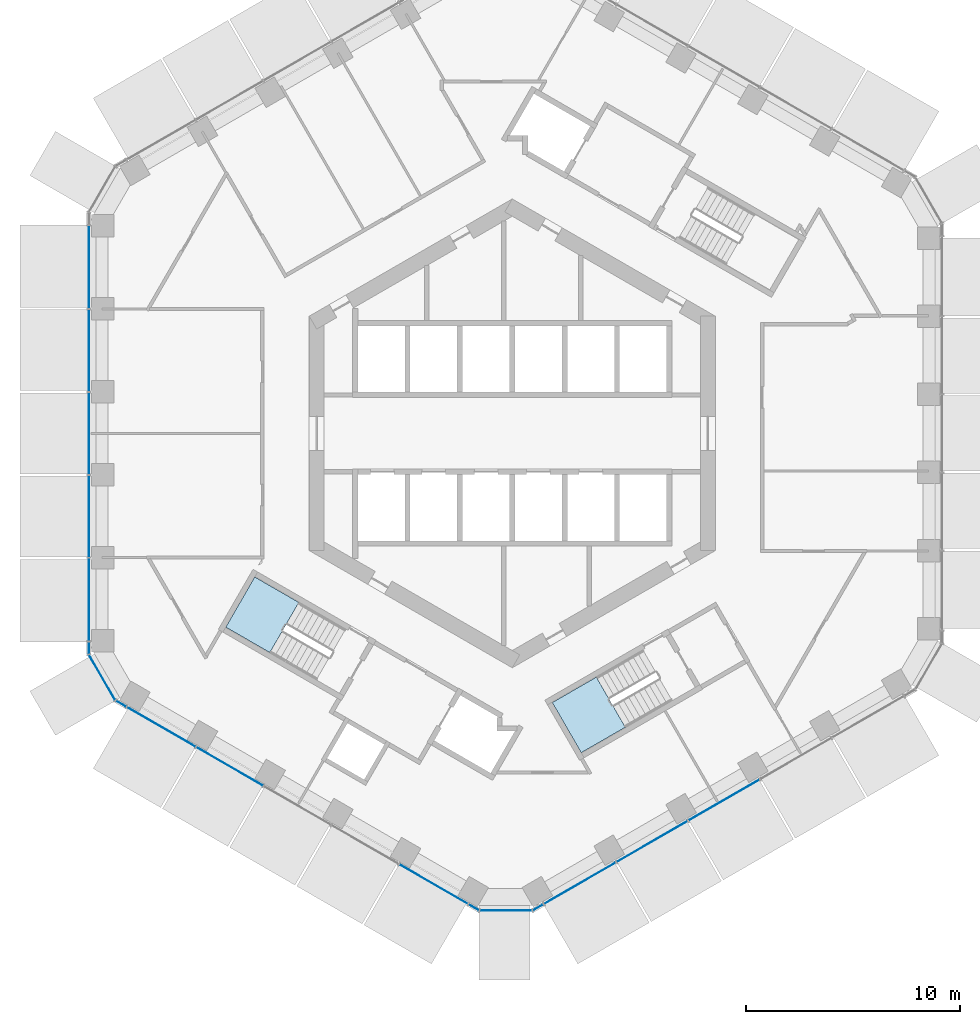
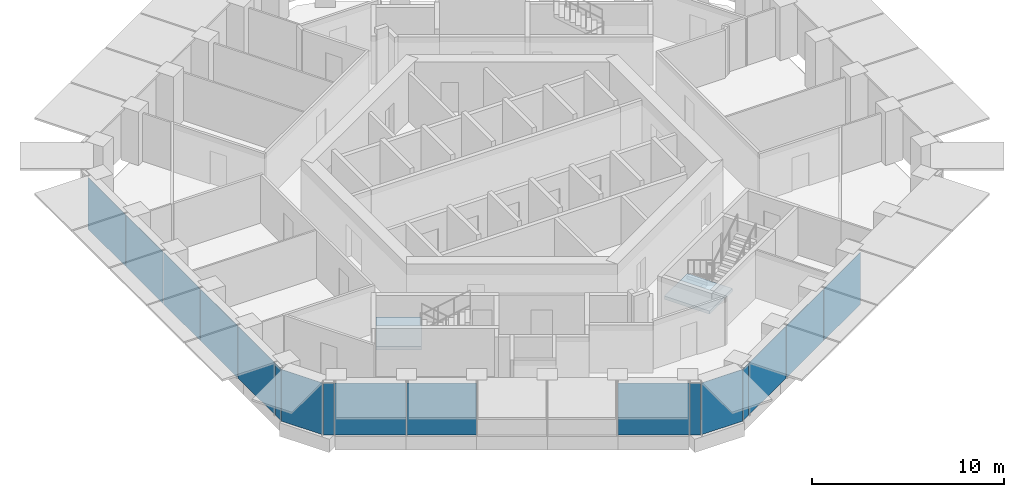
# One storey, part 9 of 19: 17 plates, 2 slabs, 7 elements without a shape of their own.
"""IFC4 building model written with IfcOpenShell, lengths in metres."""

from ifc_helpers import new_model, si_unit, direction, frame, origin, origin_2d, place, context, subcontext, project, spatial, polyline, rectangle, outline, extrude, material, layer, layer_set, type_object, element, aggregate, save


model = new_model("IFC4")

# Units and contexts
model_context = context("Model", 3, precision=1e-05, world=origin(), true_north=direction((0.0, 1.0)))
body_context = subcontext(model_context, "Body", "Model", "MODEL_VIEW")
ifc_project = project(units=[si_unit("LENGTHUNIT", "METRE"), si_unit("AREAUNIT", "SQUARE_METRE"), si_unit("VOLUMEUNIT", "CUBIC_METRE"), si_unit("PLANEANGLEUNIT", "RADIAN"), si_unit("MASSUNIT", "GRAM", prefix="KILO")], contexts=[model_context])

# Site, building, storey
site_placement = place(None, origin())
site = spatial("IfcSite", under=ifc_project, at=site_placement, CompositionType="ELEMENT")
building_placement = place(site_placement, origin())
building = spatial("IfcBuilding", under=site, at=building_placement, Name="Ayvan Gate Tower", CompositionType="ELEMENT")
storey_placement = place(building_placement, frame((0.0, 0.0, 100.10009765625)))
storey = spatial("IfcBuildingStorey", under=building, at=storey_placement, Name="L26", CompositionType="ELEMENT", Elevation=100.10009765625)

# Stair, slab
ifc_material_1 = material(Name="Concrete C40/50", Category="concrete")
stair_type = type_object("IfcStairType", Name="ST-EXIT", PredefinedType="HALF_TURN_STAIR", material=ifc_material_1)
stair_1_placement = place(storey_placement, origin())
stair_1 = element("IfcStair", 1, at=stair_1_placement, inside=storey, type_object=stair_type, Name="L26 Exit Stair S2", PredefinedType="HALF_TURN_STAIR")
ifc_layer_1 = layer(ifc_material_1, 0.199951171875)
ifc_layer_set_1 = layer_set([ifc_layer_1], Name="Concrete C40/50")
slab_type = type_object("IfcSlabType", Name="SL-LANDING-200", PredefinedType="LANDING", material=ifc_layer_set_1)
slab_1_placement = place(storey_placement, frame((0.0, 0.0, 1.5)))
slab_1 = element("IfcSlab", 2, at=slab_1_placement, type_object=slab_type, Name="STS2 landing 1", PredefinedType="LANDING", context=body_context, shape_type="SweptSolid", body=[
    extrude(outline(polyline([(-9.988525390625, -7.91064453125), (-12.049560546875, -6.720458984375), (-13.404541015625, -9.0673828125), (-11.343505859375, -10.257568359375), (-9.988525390625, -7.91064453125)])), origin(), (0.0, 0.0, 1.0), 0.199951171875),
])
aggregate(stair_1, [slab_1])

stair_2_placement = place(storey_placement, origin())
stair_2 = element("IfcStair", 3, at=stair_2_placement, inside=storey, type_object=stair_type, Name="L26 Exit Stair S3", PredefinedType="HALF_TURN_STAIR")
slab_2_placement = place(storey_placement, frame((0.0, 0.0, 1.5)))
slab_2 = element("IfcSlab", 4, at=slab_2_placement, type_object=slab_type, Name="STS3 landing 1", PredefinedType="LANDING", context=body_context, shape_type="SweptSolid", body=[
    extrude(outline(polyline([(3.93505859375, -11.405517578125), (1.873779296875, -12.595458984375), (3.228759765625, -14.9423828125), (5.2900390625, -13.75244140625), (3.93505859375, -11.405517578125)])), origin(), (0.0, 0.0, 1.0), 0.199951171875),
])
aggregate(stair_2, [slab_2])

# Curtain wall, plates
ifc_material_2 = material(Name="Bronze anodised aluminium", Category="aluminium")
ifc_layer_2 = layer(ifc_material_2, 0.199951171875)
ifc_layer_set_2 = layer_set([ifc_layer_2], Name="Bronze anodised aluminium")
curtain_wall_type_1 = type_object("IfcCurtainWallType", Name="Stick curtain wall CW-1", PredefinedType="NOTDEFINED", material=ifc_layer_set_2)
curtain_wall_1_placement = place(storey_placement, origin())
curtain_wall_1 = element("IfcCurtainWall", 5, at=curtain_wall_1_placement, inside=storey, type_object=curtain_wall_type_1, Name="Stick curtain wall CW-1 L26", PredefinedType="NOTDEFINED")
ifc_material_3 = material(Name="Clear low-iron laminated glass", Category="glass")
ifc_layer_3 = layer(ifc_material_3, 0.028076171875)
ifc_layer_set_3 = layer_set([ifc_layer_3], Name="Clear low-iron laminated glass")
plate_type_1 = type_object("IfcPlateType", Name="Stick curtain wall CW-1 glass panel", PredefinedType="CURTAIN_PANEL", material=ifc_layer_set_3)
plate_1_placement = place(storey_placement, frame((-19.813720703125, 7.797607421875, 0.0), z_axis=(0.0, 0.0, 1.0), x_axis=(0.0, -1.0, 0.0)))
plate_1 = element("IfcPlate", 6, at=plate_1_placement, type_object=plate_type_1, Name="CW-1 glass panel 1", PredefinedType="CURTAIN_PANEL", context=body_context, shape_type="SweptSolid", body=[
    extrude(rectangle(XDim=3.887939453125, YDim=0.028076171875, at=origin_2d()), origin(), (0.0, 0.0, 1.0), 3.280029296875),
])
plate_2_placement = place(storey_placement, frame((-19.813720703125, 3.882568359375, 0.0), z_axis=(0.0, 0.0, 1.0), x_axis=(0.0, -1.0, 0.0)))
plate_2 = element("IfcPlate", 7, at=plate_2_placement, type_object=plate_type_1, Name="CW-1 glass panel 2", PredefinedType="CURTAIN_PANEL", context=body_context, shape_type="SweptSolid", body=[
    extrude(rectangle(XDim=3.822021484375, YDim=0.028076171875, at=origin_2d()), origin(), (0.0, 0.0, 1.0), 3.280029296875),
])
plate_3_placement = place(storey_placement, frame((-19.813720703125, 0.0, 0.0), z_axis=(0.0, 0.0, 1.0), x_axis=(0.0, -1.0, 0.0)))
plate_3 = element("IfcPlate", 8, at=plate_3_placement, type_object=plate_type_1, Name="CW-1 glass panel 3", PredefinedType="CURTAIN_PANEL", context=body_context, shape_type="SweptSolid", body=[
    extrude(rectangle(XDim=3.822998046875, YDim=0.028076171875, at=origin_2d()), origin(), (0.0, 0.0, 1.0), 3.280029296875),
])
plate_4_placement = place(storey_placement, frame((-19.813720703125, -3.882568359375, 0.0), z_axis=(0.0, 0.0, 1.0), x_axis=(0.0, -1.0, 0.0)))
plate_4 = element("IfcPlate", 9, at=plate_4_placement, type_object=plate_type_1, Name="CW-1 glass panel 4", PredefinedType="CURTAIN_PANEL", context=body_context, shape_type="SweptSolid", body=[
    extrude(rectangle(XDim=3.822021484375, YDim=0.028076171875, at=origin_2d()), origin(), (0.0, 0.0, 1.0), 3.280029296875),
])
plate_5_placement = place(storey_placement, frame((-19.813720703125, -7.797607421875, 0.0), z_axis=(0.0, 0.0, 1.0), x_axis=(0.0, -1.0, 0.0)))
plate_5 = element("IfcPlate", 10, at=plate_5_placement, type_object=plate_type_1, Name="CW-1 glass panel 5", PredefinedType="CURTAIN_PANEL", context=body_context, shape_type="SweptSolid", body=[
    extrude(rectangle(XDim=3.88818359375, YDim=0.028076171875, at=origin_2d()), origin(), (0.0, 0.0, 1.0), 3.280029296875),
])
aggregate(curtain_wall_1, [plate_1, plate_2, plate_3, plate_4, plate_5])

curtain_wall_2_placement = place(storey_placement, origin())
curtain_wall_2 = element("IfcCurtainWall", 11, at=curtain_wall_2_placement, inside=storey, type_object=curtain_wall_type_1, Name="Stick curtain wall CW-1 L26", PredefinedType="NOTDEFINED")
plate_6_placement = place(storey_placement, frame((-16.438720703125, -13.730712890625, 0.0), z_axis=(0.0, 0.0, 1.0), x_axis=(0.866025403784, -0.5, 0.0)))
plate_6 = element("IfcPlate", 12, at=plate_6_placement, type_object=plate_type_1, Name="CW-1 glass panel 1", PredefinedType="CURTAIN_PANEL", context=body_context, shape_type="SweptSolid", body=[
    extrude(rectangle(XDim=3.712890625, YDim=0.028076171875, at=origin_2d()), origin(), (0.0, 0.0, 1.0), 3.280029296875),
])
plate_7_placement = place(storey_placement, frame((-13.221923828125, -15.587890625, 0.0), z_axis=(0.0, 0.0, 1.0), x_axis=(0.866025403784, -0.5, 0.0)))
plate_7 = element("IfcPlate", 13, at=plate_7_placement, type_object=plate_type_1, Name="CW-1 glass panel 2", PredefinedType="CURTAIN_PANEL", context=body_context, shape_type="SweptSolid", body=[
    extrude(rectangle(XDim=3.595947265625, YDim=0.028076171875, at=origin_2d()), origin(), (0.0, 0.0, 1.0), 3.280029296875),
])
plate_8_placement = place(storey_placement, frame((-3.671875, -21.101806640625, 0.0), z_axis=(0.0, 0.0, 1.0), x_axis=(0.866025403784, -0.5, 0.0)))
plate_8 = element("IfcPlate", 14, at=plate_8_placement, type_object=plate_type_1, Name="CW-1 glass panel 5", PredefinedType="CURTAIN_PANEL", context=body_context, shape_type="SweptSolid", body=[
    extrude(rectangle(XDim=3.713134765625, YDim=0.028076171875, at=origin_2d()), origin(), (0.0, 0.0, 1.0), 3.280029296875),
])
aggregate(curtain_wall_2, [plate_6, plate_7, plate_8])

curtain_wall_3_placement = place(storey_placement, origin())
curtain_wall_3 = element("IfcCurtainWall", 15, at=curtain_wall_3_placement, inside=storey, type_object=curtain_wall_type_1, Name="Stick curtain wall CW-1 L26", PredefinedType="NOTDEFINED")
plate_9_placement = place(storey_placement, frame((3.154052734375, -21.05810546875, 0.0), z_axis=(0.0, 0.0, 1.0), x_axis=(0.866025403784, 0.5, 0.0)))
plate_9 = element("IfcPlate", 16, at=plate_9_placement, type_object=plate_type_1, Name="CW-1 glass panel 1", PredefinedType="CURTAIN_PANEL", context=body_context, shape_type="SweptSolid", body=[
    extrude(rectangle(XDim=3.887939453125, YDim=0.028076171875, at=origin_2d()), origin(), (0.0, 0.0, 1.0), 3.280029296875),
])
plate_10_placement = place(storey_placement, frame((6.54443359375, -19.1005859375, 0.0), z_axis=(0.0, 0.0, 1.0), x_axis=(0.866025403784, 0.5, 0.0)))
plate_10 = element("IfcPlate", 17, at=plate_10_placement, type_object=plate_type_1, Name="CW-1 glass panel 2", PredefinedType="CURTAIN_PANEL", context=body_context, shape_type="SweptSolid", body=[
    extrude(rectangle(XDim=3.822021484375, YDim=0.028076171875, at=origin_2d()), origin(), (0.0, 0.0, 1.0), 3.280029296875),
])
plate_11_placement = place(storey_placement, frame((9.906982421875, -17.159423828125, 0.0), z_axis=(0.0, 0.0, 1.0), x_axis=(0.866025403784, 0.5, 0.0)))
plate_11 = element("IfcPlate", 18, at=plate_11_placement, type_object=plate_type_1, Name="CW-1 glass panel 3", PredefinedType="CURTAIN_PANEL", context=body_context, shape_type="SweptSolid", body=[
    extrude(rectangle(XDim=3.822998046875, YDim=0.028076171875, at=origin_2d()), origin(), (0.0, 0.0, 1.0), 3.280029296875),
])
aggregate(curtain_wall_3, [plate_9, plate_10, plate_11])

ifc_layer_4 = layer(ifc_material_2, 0.199951171875)
ifc_layer_set_4 = layer_set([ifc_layer_4], Name="Bronze anodised aluminium")
curtain_wall_type_2 = type_object("IfcCurtainWallType", Name="Stick curtain wall CW-6", PredefinedType="NOTDEFINED", material=ifc_layer_set_4)
curtain_wall_4_placement = place(storey_placement, origin())
curtain_wall_4 = element("IfcCurtainWall", 19, at=curtain_wall_4_placement, inside=storey, type_object=curtain_wall_type_2, Name="Stick curtain wall CW-6 L26", PredefinedType="NOTDEFINED")
ifc_layer_5 = layer(ifc_material_3, 0.028076171875)
ifc_layer_set_5 = layer_set([ifc_layer_5], Name="Clear low-iron laminated glass")
plate_type_2 = type_object("IfcPlateType", Name="Stick curtain wall CW-6 glass panel", PredefinedType="CURTAIN_PANEL", material=ifc_layer_set_5)
plate_12_placement = place(storey_placement, frame((-19.813720703125, -10.046630859375, 0.0), z_axis=(0.0, 0.0, 1.0), x_axis=(0.0, -1.0, 0.0)))
plate_12 = element("IfcPlate", 20, at=plate_12_placement, type_object=plate_type_2, Name="CW-6 glass panel 1", PredefinedType="CURTAIN_PANEL", context=body_context, shape_type="SweptSolid", body=[
    extrude(rectangle(XDim=0.550048828125, YDim=0.028076171875, at=origin_2d()), origin(), (0.0, 0.0, 1.0), 3.280029296875),
])
plate_13_placement = place(storey_placement, frame((-19.192138671875, -11.42333984375, 0.0), z_axis=(0.0, 0.0, 1.0), x_axis=(0.5, -0.866025403784, 0.0)))
plate_13 = element("IfcPlate", 21, at=plate_13_placement, type_object=plate_type_2, Name="CW-6 glass panel 2", PredefinedType="CURTAIN_PANEL", context=body_context, shape_type="SweptSolid", body=[
    extrude(rectangle(XDim=2.4365234375, YDim=0.028076171875, at=origin_2d()), origin(), (0.0, 0.0, 1.0), 3.280029296875),
])
plate_14_placement = place(storey_placement, frame((-18.310791015625, -12.64990234375, 0.0), z_axis=(0.0, 0.0, 1.0), x_axis=(0.866025403784, -0.5, 0.0)))
plate_14 = element("IfcPlate", 22, at=plate_14_placement, type_object=plate_type_2, Name="CW-6 glass panel 3", PredefinedType="CURTAIN_PANEL", context=body_context, shape_type="SweptSolid", body=[
    extrude(rectangle(XDim=0.550048828125, YDim=0.028076171875, at=origin_2d()), origin(), (0.0, 0.0, 1.0), 3.280029296875),
])
aggregate(curtain_wall_4, [plate_12, plate_13, plate_14])

curtain_wall_5_placement = place(storey_placement, origin())
curtain_wall_5 = element("IfcCurtainWall", 23, at=curtain_wall_5_placement, inside=storey, type_object=curtain_wall_type_2, Name="Stick curtain wall CW-6 L26", PredefinedType="NOTDEFINED")
plate_15_placement = place(storey_placement, frame((-1.7998046875, -22.1826171875, 0.0), z_axis=(0.0, 0.0, 1.0), x_axis=(0.866025403784, -0.5, 0.0)))
plate_15 = element("IfcPlate", 24, at=plate_15_placement, type_object=plate_type_2, Name="CW-6 glass panel 1", PredefinedType="CURTAIN_PANEL", context=body_context, shape_type="SweptSolid", body=[
    extrude(rectangle(XDim=0.550048828125, YDim=0.028076171875, at=origin_2d()), origin(), (0.0, 0.0, 1.0), 3.280029296875),
])
plate_16_placement = place(storey_placement, frame((-0.296630859375, -22.33251953125, 0.0), z_axis=(0.0, 0.0, 1.0), x_axis=(1.0, 0.0, 0.0)))
plate_16 = element("IfcPlate", 25, at=plate_16_placement, type_object=plate_type_2, Name="CW-6 glass panel 2", PredefinedType="CURTAIN_PANEL", context=body_context, shape_type="SweptSolid", body=[
    extrude(rectangle(XDim=2.4365234375, YDim=0.028076171875, at=origin_2d()), origin(), (0.0, 0.0, 1.0), 3.280029296875),
])
plate_17_placement = place(storey_placement, frame((1.206298828125, -22.1826171875, 0.0), z_axis=(0.0, 0.0, 1.0), x_axis=(0.866025403784, 0.5, 0.0)))
plate_17 = element("IfcPlate", 26, at=plate_17_placement, type_object=plate_type_2, Name="CW-6 glass panel 3", PredefinedType="CURTAIN_PANEL", context=body_context, shape_type="SweptSolid", body=[
    extrude(rectangle(XDim=0.550048828125, YDim=0.028076171875, at=origin_2d()), origin(), (0.0, 0.0, 1.0), 3.280029296875),
])
aggregate(curtain_wall_5, [plate_15, plate_16, plate_17])

save(model, "model.ifc")
